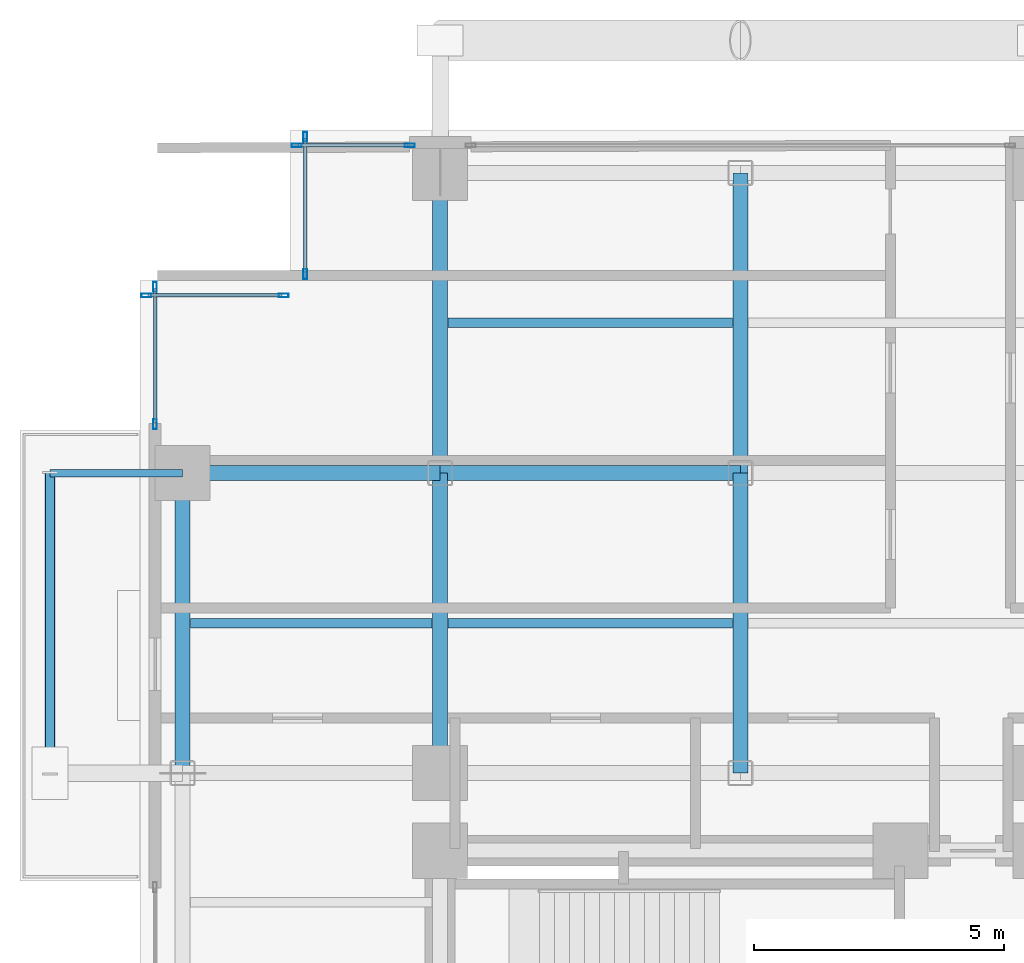
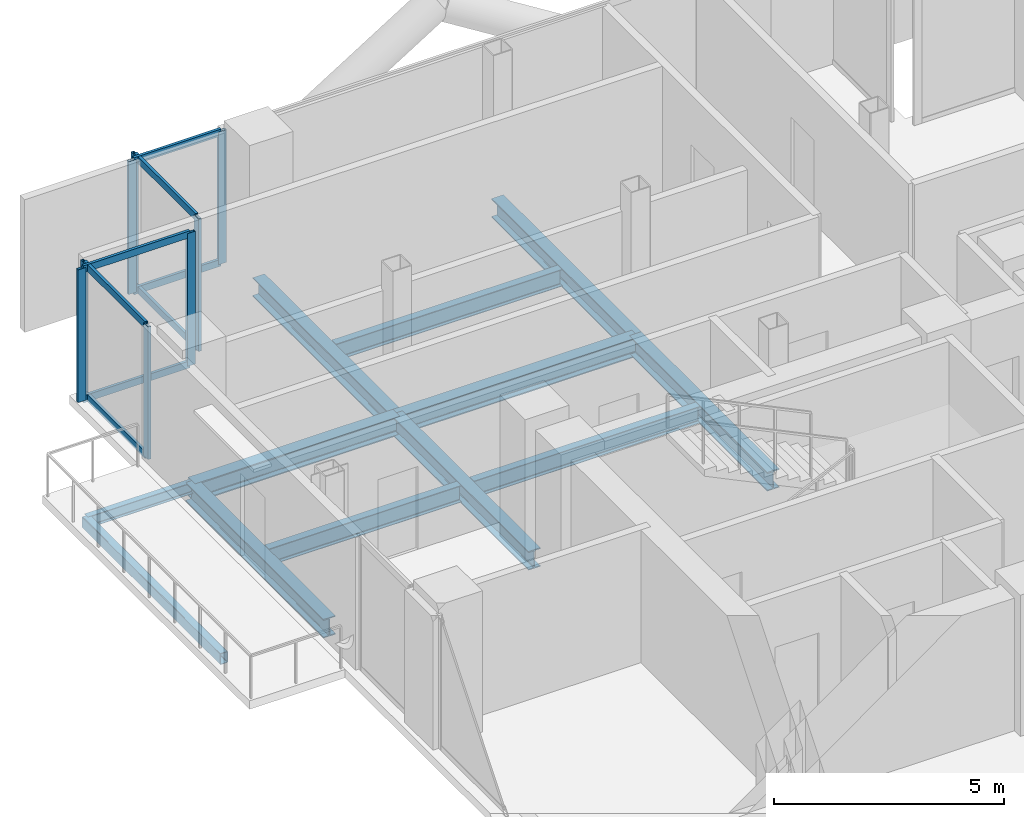
# One storey, part 15 of 28: 16 members, 12 beams, 4 elements without a shape of their own.
"""IFC4 building model written with IfcOpenShell, lengths in metres."""

from ifc_helpers import new_model, si_unit, direction, frame, origin, origin_2d, place, context, subcontext, project, spatial, hollow_rectangle, i_section, extrude, material, layer, layer_set, material_profile, profile_set, type_object, element, aggregate, save


model = new_model("IFC4")

# Units and contexts
model_context = context("Model", 3, precision=1e-05, world=origin(), true_north=direction((0.0, 1.0)))
body_context = subcontext(model_context, "Body", "Model", "MODEL_VIEW")
ifc_project = project(units=[si_unit("LENGTHUNIT", "METRE"), si_unit("AREAUNIT", "SQUARE_METRE"), si_unit("VOLUMEUNIT", "CUBIC_METRE"), si_unit("PLANEANGLEUNIT", "RADIAN"), si_unit("MASSUNIT", "GRAM", prefix="KILO"), si_unit("THERMODYNAMICTEMPERATUREUNIT", "KELVIN"), si_unit("POWERUNIT", "WATT")], contexts=[model_context])

# Site, building, storey
site_placement = place(None, origin())
site = spatial("IfcSite", under=ifc_project, at=site_placement, CompositionType="ELEMENT")
building_placement = place(site_placement, origin())
building = spatial("IfcBuilding", under=site, at=building_placement, Name="Svarakhadi Broadcast Tower", CompositionType="ELEMENT")
storey_placement = place(building_placement, frame((0.0, 0.0, 119.39990234375)))
storey = spatial("IfcBuildingStorey", under=building, at=storey_placement, Name="L28", CompositionType="ELEMENT", Elevation=119.39990234375)

# Beams
ifc_material_1 = material(Name="Steel S355J2 (IS 2062 E350C)", Category="steel")
ifc_material_profile_1 = material_profile(ifc_material_1, i_section(OverallWidth=0.18994140625, OverallDepth=0.449951171875, WebThickness=0.009521484375, FlangeThickness=0.0146484375, FilletRadius=0.02099609375, at=origin_2d()), Name="NPB 450x190x78")
ifc_profile_set_1 = profile_set([ifc_material_profile_1], Name="Steel S355J2 (IS 2062 E350C)")
beam_type_1 = type_object("IfcBeamType", Name="Beam_NPB450", PredefinedType="BEAM", material=ifc_profile_set_1)
beam_1_placement = place(storey_placement, frame((1.010009765625, 32.14990234375, -0.449951171875), z_axis=(1.0, 0.0, 0.0), x_axis=(0.0, 1.0, 0.0)))
element("IfcBeam", 1, at=beam_1_placement, inside=storey, type_object=beam_type_1, Name="L28 Secondary Composite Beam SB005", PredefinedType="BEAM", context=body_context, shape_type="SweptSolid", body=[
    extrude(i_section(OverallWidth=0.18994140625, OverallDepth=0.449951171875, WebThickness=0.009521484375, FlangeThickness=0.0146484375, FilletRadius=0.02099609375, at=origin_2d()), origin(), (0.0, 0.0, 1.0), 4.830078125),
])
for number, where, z_axis, x_axis, name in (
    (2, (6.159912109375, 32.14990234375, -0.449951171875), (1.0, 0.0, 0.0), (0.0, 1.0, 0.0), "L28 Secondary Composite Beam SB009"),
    (3, (6.159912109375, 38.14990234375, -0.449951171875), (1.0, 0.0, 0.0), (0.0, 1.0, 0.0), "L28 Secondary Composite Beam SB010"),
):
    element("IfcBeam", number, at=place(storey_placement, frame(where, z_axis=z_axis, x_axis=x_axis)), inside=storey, type_object=beam_type_1, Name=name, PredefinedType="BEAM", context=body_context, shape_type="SweptSolid", body=[
        extrude(i_section(OverallWidth=0.18994140625, OverallDepth=0.449951171875, WebThickness=0.009521484375, FlangeThickness=0.0146484375, FilletRadius=0.02099609375, at=origin_2d()), origin(), (0.0, 0.0, 1.0), 5.68017578125),
    ])

# Curtain wall, members
ifc_material_2 = material(Name="Anodised Bronze Aluminium AA 6063-T6", Category="aluminium")
ifc_layer = layer(ifc_material_2, 0.199951171875)
ifc_layer_set = layer_set([ifc_layer], Name="Anodised Bronze Aluminium AA 6063-T6")
curtain_wall_type = type_object("IfcCurtainWallType", Name="CW_Sys_03", PredefinedType="NOTDEFINED", material=ifc_layer_set)
curtain_wall_1_placement = place(storey_placement, origin())
curtain_wall_1 = element("IfcCurtainWall", 4, at=curtain_wall_1_placement, inside=storey, type_object=curtain_wall_type, Name="L28 West Curtain Wall 03", PredefinedType="NOTDEFINED")
ifc_material_profile_2 = material_profile(ifc_material_2, hollow_rectangle(XDim=0.074951171875, YDim=0.199951171875, WallThickness=0.005615234375, at=origin_2d()), Name="ALU MULLION 200x75x6")
ifc_profile_set_2 = profile_set([ifc_material_profile_2], Name="Anodised Bronze Aluminium AA 6063-T6")
member_type_1 = type_object("IfcMemberType", Name="CW_Sys_03_Mul", PredefinedType="MULLION", material=ifc_profile_set_2)
member_1_placement = place(storey_placement, frame((0.300048828125, 36.12744140625, 0.0), z_axis=(0.0, 0.0, 1.0), x_axis=(-1.0, 0.0, 0.0)))
member_1 = element("IfcMember", 5, at=member_1_placement, type_object=member_type_1, Name="CW-03 mullion 1", PredefinedType="MULLION", context=body_context, shape_type="SweptSolid", body=[
    extrude(hollow_rectangle(XDim=0.074951171875, YDim=0.199951171875, WallThickness=0.005615234375, at=origin_2d()), origin(), (0.0, 0.0, 1.0), 3.525146484375),
])
member_2_placement = place(storey_placement, frame((0.300048828125, 38.87255859375, 0.0), z_axis=(0.0, 0.0, 1.0), x_axis=(-1.0, 0.0, 0.0)))
member_2 = element("IfcMember", 6, at=member_2_placement, type_object=member_type_1, Name="CW-03 mullion 2", PredefinedType="MULLION", context=body_context, shape_type="SweptSolid", body=[
    extrude(hollow_rectangle(XDim=0.074951171875, YDim=0.199951171875, WallThickness=0.005615234375, at=origin_2d()), origin(), (0.0, 0.0, 1.0), 3.525146484375),
])

curtain_wall_2_placement = place(storey_placement, origin())
curtain_wall_2 = element("IfcCurtainWall", 7, at=curtain_wall_2_placement, inside=storey, type_object=curtain_wall_type, Name="L28 Unitised Facade Curtain Wall 04", PredefinedType="NOTDEFINED")
member_3_placement = place(storey_placement, frame((0.12744140625, 38.699951171875, 0.0), z_axis=(0.0, 0.0, 1.0), x_axis=(0.0, 1.0, 0.0)))
member_3 = element("IfcMember", 8, at=member_3_placement, type_object=member_type_1, Name="CW-03 mullion 1", PredefinedType="MULLION", context=body_context, shape_type="SweptSolid", body=[
    extrude(hollow_rectangle(XDim=0.074951171875, YDim=0.199951171875, WallThickness=0.005615234375, at=origin_2d()), origin(), (0.0, 0.0, 1.0), 3.525146484375),
])
member_4_placement = place(storey_placement, frame((2.87255859375, 38.699951171875, 0.0), z_axis=(0.0, 0.0, 1.0), x_axis=(0.0, 1.0, 0.0)))
member_4 = element("IfcMember", 9, at=member_4_placement, type_object=member_type_1, Name="CW-03 mullion 2", PredefinedType="MULLION", context=body_context, shape_type="SweptSolid", body=[
    extrude(hollow_rectangle(XDim=0.074951171875, YDim=0.199951171875, WallThickness=0.005615234375, at=origin_2d()), origin(), (0.0, 0.0, 1.0), 3.525146484375),
])

curtain_wall_3_placement = place(storey_placement, origin())
curtain_wall_3 = element("IfcCurtainWall", 10, at=curtain_wall_3_placement, inside=storey, type_object=curtain_wall_type, Name="L28 Unitised Facade Curtain Wall 05", PredefinedType="NOTDEFINED")
member_5_placement = place(storey_placement, frame((3.300048828125, 39.12744140625, 0.0), z_axis=(0.0, 0.0, 1.0), x_axis=(-1.0, 0.0, 0.0)))
member_5 = element("IfcMember", 11, at=member_5_placement, type_object=member_type_1, Name="CW-03 mullion 1", PredefinedType="MULLION", context=body_context, shape_type="SweptSolid", body=[
    extrude(hollow_rectangle(XDim=0.074951171875, YDim=0.199951171875, WallThickness=0.005615234375, at=origin_2d()), origin(), (0.0, 0.0, 1.0), 3.525146484375),
])
member_6_placement = place(storey_placement, frame((3.300048828125, 41.87255859375, 0.0), z_axis=(0.0, 0.0, 1.0), x_axis=(-1.0, 0.0, 0.0)))
member_6 = element("IfcMember", 12, at=member_6_placement, type_object=member_type_1, Name="CW-03 mullion 2", PredefinedType="MULLION", context=body_context, shape_type="SweptSolid", body=[
    extrude(hollow_rectangle(XDim=0.074951171875, YDim=0.199951171875, WallThickness=0.005615234375, at=origin_2d()), origin(), (0.0, 0.0, 1.0), 3.525146484375),
])

curtain_wall_4_placement = place(storey_placement, origin())
curtain_wall_4 = element("IfcCurtainWall", 13, at=curtain_wall_4_placement, inside=storey, type_object=curtain_wall_type, Name="L28 Unitised Facade Curtain Wall 06 Bay 1", PredefinedType="NOTDEFINED")
member_7_placement = place(storey_placement, frame((3.12744140625, 41.699951171875, 0.0), z_axis=(0.0, 0.0, 1.0), x_axis=(0.0, 1.0, 0.0)))
member_7 = element("IfcMember", 14, at=member_7_placement, type_object=member_type_1, Name="CW-03 mullion 1", PredefinedType="MULLION", context=body_context, shape_type="SweptSolid", body=[
    extrude(hollow_rectangle(XDim=0.074951171875, YDim=0.199951171875, WallThickness=0.005615234375, at=origin_2d()), origin(), (0.0, 0.0, 1.0), 3.525146484375),
])
member_8_placement = place(storey_placement, frame((5.392578125, 41.699951171875, 0.0), z_axis=(0.0, 0.0, 1.0), x_axis=(0.0, 1.0, 0.0)))
member_8 = element("IfcMember", 15, at=member_8_placement, type_object=member_type_1, Name="CW-03 mullion 2", PredefinedType="MULLION", context=body_context, shape_type="SweptSolid", body=[
    extrude(hollow_rectangle(XDim=0.074951171875, YDim=0.199951171875, WallThickness=0.005615234375, at=origin_2d()), origin(), (0.0, 0.0, 1.0), 3.525146484375),
])

# Member
ifc_material_profile_3 = material_profile(ifc_material_2, hollow_rectangle(XDim=0.070068359375, YDim=0.18505859375, WallThickness=0.0048828125, at=origin_2d()), Name="ALU TRANSOM 185x70x5")
ifc_profile_set_3 = profile_set([ifc_material_profile_3], Name="Anodised Bronze Aluminium AA 6063-T6")
member_type_2 = type_object("IfcMemberType", Name="CW_Sys_03_Trn", PredefinedType="USERDEFINED", material=ifc_profile_set_3)
member_9_placement = place(storey_placement, frame((0.300048828125, 36.1650390625, 0.03515625), z_axis=(0.0, 1.0, 0.0), x_axis=(-1.0, 0.0, 0.0)))
member_9 = element("IfcMember", 16, at=member_9_placement, type_object=member_type_2, Name="CW-03 transom 1.1", ObjectType="TRANSOM", PredefinedType="USERDEFINED", context=body_context, shape_type="SweptSolid", body=[
    extrude(hollow_rectangle(XDim=0.070068359375, YDim=0.18505859375, WallThickness=0.0048828125, at=origin_2d()), origin(), (0.0, 0.0, 1.0), 2.669921875),
])

member_10_placement = place(storey_placement, frame((0.300048828125, 36.1650390625, 3.489990234375), z_axis=(0.0, 1.0, 0.0), x_axis=(-1.0, 0.0, 0.0)))
member_10 = element("IfcMember", 17, at=member_10_placement, type_object=member_type_2, Name="CW-03 transom 1.2", ObjectType="TRANSOM", PredefinedType="USERDEFINED", context=body_context, shape_type="SweptSolid", body=[
    extrude(hollow_rectangle(XDim=0.070068359375, YDim=0.18505859375, WallThickness=0.0048828125, at=origin_2d()), origin(), (0.0, 0.0, 1.0), 2.669921875),
])

aggregate(curtain_wall_1, [member_1, member_2, member_9, member_10])

member_11_placement = place(storey_placement, frame((0.1650390625, 38.699951171875, 0.03515625), z_axis=(1.0, 0.0, 0.0), x_axis=(0.0, 1.0, 0.0)))
member_11 = element("IfcMember", 18, at=member_11_placement, type_object=member_type_2, Name="CW-03 transom 1.1", ObjectType="TRANSOM", PredefinedType="USERDEFINED", context=body_context, shape_type="SweptSolid", body=[
    extrude(hollow_rectangle(XDim=0.070068359375, YDim=0.18505859375, WallThickness=0.0048828125, at=origin_2d()), origin(), (0.0, 0.0, 1.0), 2.669921875),
])

member_12_placement = place(storey_placement, frame((0.1650390625, 38.699951171875, 3.489990234375), z_axis=(1.0, 0.0, 0.0), x_axis=(0.0, 1.0, 0.0)))
member_12 = element("IfcMember", 19, at=member_12_placement, type_object=member_type_2, Name="CW-03 transom 1.2", ObjectType="TRANSOM", PredefinedType="USERDEFINED", context=body_context, shape_type="SweptSolid", body=[
    extrude(hollow_rectangle(XDim=0.070068359375, YDim=0.18505859375, WallThickness=0.0048828125, at=origin_2d()), origin(), (0.0, 0.0, 1.0), 2.669921875),
])

aggregate(curtain_wall_2, [member_3, member_4, member_11, member_12])

member_13_placement = place(storey_placement, frame((3.300048828125, 39.1650390625, 0.03515625), z_axis=(0.0, 1.0, 0.0), x_axis=(-1.0, 0.0, 0.0)))
member_13 = element("IfcMember", 20, at=member_13_placement, type_object=member_type_2, Name="CW-03 transom 1.1", ObjectType="TRANSOM", PredefinedType="USERDEFINED", context=body_context, shape_type="SweptSolid", body=[
    extrude(hollow_rectangle(XDim=0.070068359375, YDim=0.18505859375, WallThickness=0.0048828125, at=origin_2d()), origin(), (0.0, 0.0, 1.0), 2.669921875),
])

member_14_placement = place(storey_placement, frame((3.300048828125, 39.1650390625, 3.489990234375), z_axis=(0.0, 1.0, 0.0), x_axis=(-1.0, 0.0, 0.0)))
member_14 = element("IfcMember", 21, at=member_14_placement, type_object=member_type_2, Name="CW-03 transom 1.2", ObjectType="TRANSOM", PredefinedType="USERDEFINED", context=body_context, shape_type="SweptSolid", body=[
    extrude(hollow_rectangle(XDim=0.070068359375, YDim=0.18505859375, WallThickness=0.0048828125, at=origin_2d()), origin(), (0.0, 0.0, 1.0), 2.669921875),
])

aggregate(curtain_wall_3, [member_5, member_6, member_13, member_14])

member_15_placement = place(storey_placement, frame((3.1650390625, 41.699951171875, 0.03515625), z_axis=(1.0, 0.0, 0.0), x_axis=(0.0, 1.0, 0.0)))
member_15 = element("IfcMember", 22, at=member_15_placement, type_object=member_type_2, Name="CW-03 transom 1.1", ObjectType="TRANSOM", PredefinedType="USERDEFINED", context=body_context, shape_type="SweptSolid", body=[
    extrude(hollow_rectangle(XDim=0.070068359375, YDim=0.18505859375, WallThickness=0.0048828125, at=origin_2d()), origin(), (0.0, 0.0, 1.0), 2.18994140625),
])

member_16_placement = place(storey_placement, frame((3.1650390625, 41.699951171875, 3.489990234375), z_axis=(1.0, 0.0, 0.0), x_axis=(0.0, 1.0, 0.0)))
member_16 = element("IfcMember", 23, at=member_16_placement, type_object=member_type_2, Name="CW-03 transom 1.2", ObjectType="TRANSOM", PredefinedType="USERDEFINED", context=body_context, shape_type="SweptSolid", body=[
    extrude(hollow_rectangle(XDim=0.070068359375, YDim=0.18505859375, WallThickness=0.0048828125, at=origin_2d()), origin(), (0.0, 0.0, 1.0), 2.18994140625),
])

aggregate(curtain_wall_4, [member_7, member_8, member_15, member_16])

# Beams
ifc_material_profile_4 = material_profile(ifc_material_1, i_section(OverallWidth=0.300048828125, OverallDepth=0.5, WebThickness=0.014404296875, FlangeThickness=0.028076171875, FilletRadius=0.027099609375, at=origin_2d()), Name="WPB 500x300x187")
ifc_profile_set_4 = profile_set([ifc_material_profile_4], Name="Steel S355J2 (IS 2062 E350C)")
beam_type_2 = type_object("IfcBeamType", Name="Girder_WPB500", PredefinedType="USERDEFINED", material=ifc_profile_set_4)
beam_2_placement = place(storey_placement, frame((0.85009765625, 35.14990234375, -0.474853515625), z_axis=(1.0, 0.0, 0.0), x_axis=(0.0, 1.0, 0.0)))
element("IfcBeam", 24, at=beam_2_placement, inside=storey, type_object=beam_type_2, Name="L28 Primary E-W Girder G035", ObjectType="GIRDER", PredefinedType="USERDEFINED", context=body_context, shape_type="SweptSolid", body=[
    extrude(i_section(OverallWidth=0.300048828125, OverallDepth=0.5, WebThickness=0.014404296875, FlangeThickness=0.028076171875, FilletRadius=0.027099609375, at=origin_2d()), origin(), (0.0, 0.0, 1.0), 5.14990234375),
])
for number, where, z_axis, x_axis, name in (
    (25, (6.0, 35.14990234375, -0.474853515625), (1.0, 0.0, 0.0), (0.0, 1.0, 0.0), "L28 Primary E-W Girder G036"),
    (26, (0.85009765625, 29.14990234375, -0.474853515625), (0.0, 1.0, 0.0), (-1.0, 0.0, 0.0), "L28 Primary N-S Girder G044"),
    (27, (6.0, 29.14990234375, -0.474853515625), (0.0, 1.0, 0.0), (-1.0, 0.0, 0.0), "L28 Primary N-S Girder G049"),
    (28, (6.0, 35.14990234375, -0.474853515625), (0.0, 1.0, 0.0), (-1.0, 0.0, 0.0), "L28 Primary N-S Girder G050"),
    (29, (12.0, 29.14990234375, -0.474853515625), (0.0, 1.0, 0.0), (-1.0, 0.0, 0.0), "L28 Primary N-S Girder G054"),
    (30, (12.0, 35.14990234375, -0.474853515625), (0.0, 1.0, 0.0), (-1.0, 0.0, 0.0), "L28 Primary N-S Girder G055"),
):
    element("IfcBeam", number, at=place(storey_placement, frame(where, z_axis=z_axis, x_axis=x_axis)), inside=storey, type_object=beam_type_2, Name=name, ObjectType="GIRDER", PredefinedType="USERDEFINED", context=body_context, shape_type="SweptSolid", body=[
        extrude(i_section(OverallWidth=0.300048828125, OverallDepth=0.5, WebThickness=0.014404296875, FlangeThickness=0.028076171875, FilletRadius=0.027099609375, at=origin_2d()), origin(), (0.0, 0.0, 1.0), 6.0),
    ])
ifc_material_profile_5 = material_profile(ifc_material_1, i_section(OverallWidth=0.14990234375, OverallDepth=0.300048828125, WebThickness=0.007080078125, FlangeThickness=0.0107421875, FilletRadius=0.014892578125, at=origin_2d()), Name="NPB 300x150x37")
ifc_profile_set_5 = profile_set([ifc_material_profile_5], Name="Steel S355J2 (IS 2062 E350C)")
beam_type_3 = type_object("IfcBeamType", Name="Spandrel_NPB300", PredefinedType="SPANDREL", material=ifc_profile_set_5)
beam_3_placement = place(storey_placement, frame((0.85009765625, 35.14990234375, -0.375), z_axis=(-1.0, 0.0, 0.0), x_axis=(0.0, -1.0, 0.0)))
element("IfcBeam", 31, at=beam_3_placement, inside=storey, type_object=beam_type_3, Name="L28 Balcony Cantilever Bracket 2B", PredefinedType="SPANDREL", context=body_context, shape_type="SweptSolid", body=[
    extrude(i_section(OverallWidth=0.14990234375, OverallDepth=0.300048828125, WebThickness=0.007080078125, FlangeThickness=0.0107421875, FilletRadius=0.014892578125, at=origin_2d()), origin(), (0.0, 0.0, 1.0), 2.650146484375),
])
ifc_material_3 = material(Name="Steel S460ML (IS 2062 E450BR)", Category="steel")
ifc_material_profile_6 = material_profile(ifc_material_3, hollow_rectangle(XDim=0.199951171875, YDim=0.300048828125, WallThickness=0.012451171875, InnerFilletRadius=0.012451171875, OuterFilletRadius=0.02490234375, at=origin_2d()), Name="RHS 300x200x12.5")
ifc_profile_set_6 = profile_set([ifc_material_profile_6], Name="Steel S460ML (IS 2062 E450BR)")
beam_type_4 = type_object("IfcBeamType", Name="Spandrel_RHS300", PredefinedType="SPANDREL", material=ifc_profile_set_6)
beam_4_placement = place(storey_placement, frame((-1.800048828125, 29.14990234375, -0.375), z_axis=(0.0, 1.0, 0.0), x_axis=(-1.0, 0.0, 0.0)))
element("IfcBeam", 32, at=beam_4_placement, inside=storey, type_object=beam_type_4, Name="L28 Balcony Outer Spandrel 2F", PredefinedType="SPANDREL", context=body_context, shape_type="SweptSolid", body=[
    extrude(hollow_rectangle(XDim=0.199951171875, YDim=0.300048828125, WallThickness=0.012451171875, InnerFilletRadius=0.012451171875, OuterFilletRadius=0.02490234375, at=origin_2d()), origin(), (0.0, 0.0, 1.0), 6.0),
])

save(model, "model.ifc")
